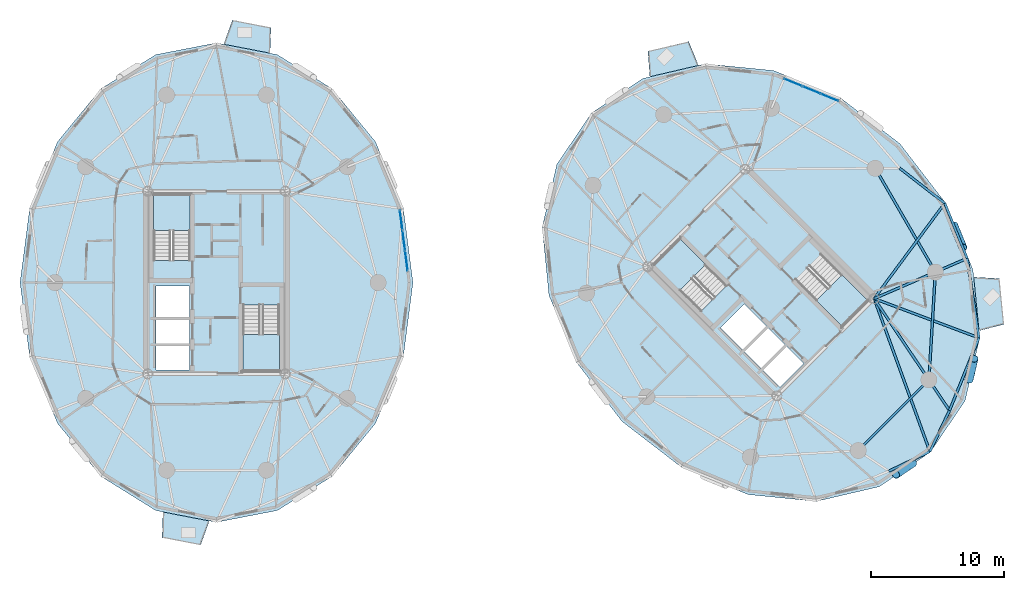
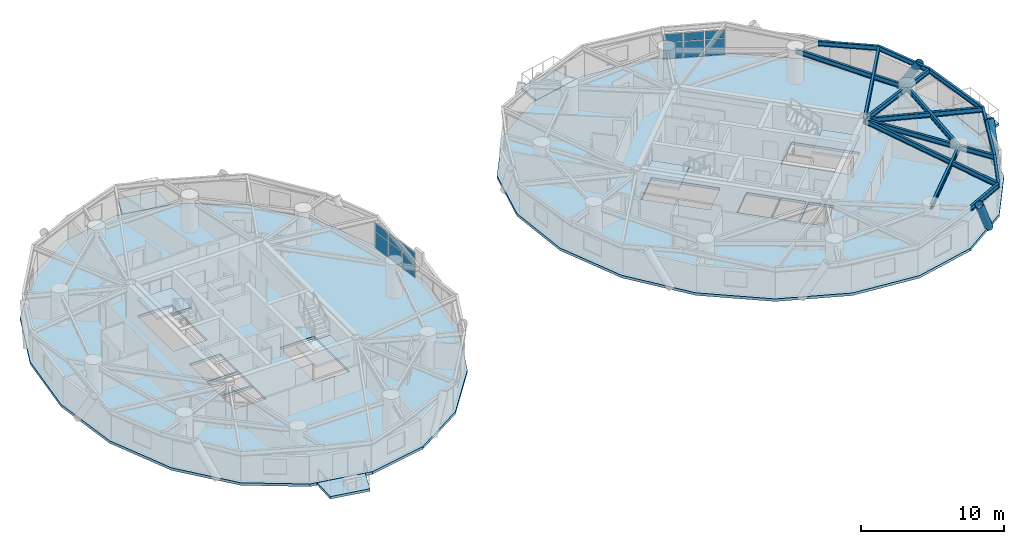
# One storey, part 7 of 17: 14 beams, 12 plates, 10 slabs, 3 members, 6 elements without a shape of their own.
"""IFC4 building model written with IfcOpenShell, lengths in metres."""

from ifc_helpers import new_model, si_unit, direction, frame, origin, origin_2d, place, context, subcontext, project, spatial, polyline, rectangle, hollow_circle, i_section, outline, extrude, source, transform, mapped, material, layer, layer_set, material_profile, profile_set, type_object, element, aggregate, save


model = new_model("IFC4")

# Units and contexts
model_context = context("Model", 3, precision=1e-05, world=origin(), true_north=direction((0.0, 1.0)))
body_context = subcontext(model_context, "Body", "Model", "MODEL_VIEW")
ifc_project = project(units=[si_unit("LENGTHUNIT", "METRE"), si_unit("AREAUNIT", "SQUARE_METRE"), si_unit("VOLUMEUNIT", "CUBIC_METRE"), si_unit("PLANEANGLEUNIT", "RADIAN"), si_unit("MASSUNIT", "GRAM", prefix="KILO")], contexts=[model_context])

# Site, building, storey
site_placement = place(None, origin())
site = spatial("IfcSite", under=ifc_project, at=site_placement, CompositionType="ELEMENT")
building_placement = place(site_placement, origin())
building = spatial("IfcBuilding", under=site, at=building_placement, Name="Cununo Teusaquillo Station Towers", CompositionType="ELEMENT")
storey_placement = place(building_placement, frame((0.0, 0.0, 154.510009765625)))
storey = spatial("IfcBuildingStorey", under=building, at=storey_placement, Name="L48", CompositionType="ELEMENT", Elevation=154.510009765625)

# Beams
ifc_material_1 = material(Name="Steel ASTM A572 Grade 50", Category="steel")
ifc_material_profile_1 = material_profile(ifc_material_1, i_section(OverallWidth=0.180908203125, OverallDepth=0.4169921875, WebThickness=0.010986328125, FlangeThickness=0.018310546875, FilletRadius=0.012939453125, at=origin_2d()), Name="W16X57")
ifc_profile_set_1 = profile_set([ifc_material_profile_1], Name="Steel ASTM A572 Grade 50")
beam_type_1 = type_object("IfcBeamType", Name="BM-JOIST-1", PredefinedType="JOIST", material=ifc_profile_set_1)
beam_1_placement = place(storey_placement, frame((66.024169921875, 23.29443359375, 2.4814453125), z_axis=(0.34241791496, -0.939547748395, 0.0), x_axis=(0.939547748395, 0.34241791496, 0.0)))
element("IfcBeam", 1, at=beam_1_placement, inside=storey, type_object=beam_type_1, Name="L48 Tower B Radial Spandrel Joist V15", PredefinedType="JOIST", context=body_context, shape_type="SweptSolid", body=[
    extrude(i_section(OverallWidth=0.180908203125, OverallDepth=0.4169921875, WebThickness=0.010986328125, FlangeThickness=0.018310546875, FilletRadius=0.012939453125, at=origin_2d()), origin(), (0.0, 0.0, 1.0), 12.25634765625),
])
beam_2_placement = place(storey_placement, frame((66.024169921875, 23.29443359375, 2.4814453125), z_axis=(0.936244635323, -0.351348805076, 0.0), x_axis=(0.351348805076, 0.936244635323, 0.0)))
element("IfcBeam", 2, at=beam_2_placement, inside=storey, type_object=beam_type_1, Name="L48 Tower B Radial Spandrel Joist V17", PredefinedType="JOIST", context=body_context, shape_type="SweptSolid", body=[
    extrude(i_section(OverallWidth=0.180908203125, OverallDepth=0.4169921875, WebThickness=0.010986328125, FlangeThickness=0.018310546875, FilletRadius=0.012939453125, at=origin_2d()), origin(), (0.0, 0.0, 1.0), 8.4287109375),
])
beam_3_placement = place(storey_placement, frame((66.024169921875, 23.29443359375, 2.4814453125), z_axis=(0.594834179272, 0.803848430471, 0.0), x_axis=(-0.803848430471, 0.594834179272, 0.0)))
element("IfcBeam", 3, at=beam_3_placement, inside=storey, type_object=beam_type_1, Name="L48 Tower B Radial Spandrel Joist V19", PredefinedType="JOIST", context=body_context, shape_type="SweptSolid", body=[
    extrude(i_section(OverallWidth=0.180908203125, OverallDepth=0.4169921875, WebThickness=0.010986328125, FlangeThickness=0.018310546875, FilletRadius=0.012939453125, at=origin_2d()), origin(), (0.0, 0.0, 1.0), 8.936767578125),
])
ifc_material_2 = material(Name="Steel ASTM A572 Grade 50", Category="steel")
ifc_material_profile_2 = material_profile(ifc_material_2, i_section(OverallWidth=0.180908203125, OverallDepth=0.4169921875, WebThickness=0.010986328125, FlangeThickness=0.018310546875, FilletRadius=0.012939453125, at=origin_2d()), Name="W16X57")
ifc_profile_set_2 = profile_set([ifc_material_profile_2], Name="Steel ASTM A572 Grade 50")
beam_type_2 = type_object("IfcBeamType", Name="BM-RAD-G2", PredefinedType="BEAM", material=ifc_profile_set_2)
beam_4_placement = place(storey_placement, frame((66.024169921875, 23.29443359375, 2.4814453125), z_axis=(0.558570687133, -0.829456923219, 0.0), x_axis=(0.829456923219, 0.558570687133, 0.0)))
element("IfcBeam", 4, at=beam_4_placement, inside=storey, type_object=beam_type_2, Name="L48 Tower B Continuous Overhanging Radial Girder 09", PredefinedType="BEAM", context=body_context, shape_type="SweptSolid", body=[
    extrude(i_section(OverallWidth=0.180908203125, OverallDepth=0.4169921875, WebThickness=0.010986328125, FlangeThickness=0.018310546875, FilletRadius=0.012939453125, at=origin_2d()), origin(), (0.0, 0.0, 1.0), 10.1591796875),
])
beam_5_placement = place(storey_placement, frame((66.024169921875, 23.29443359375, 2.4814453125), z_axis=(0.917655964072, 0.397375806515, 0.0), x_axis=(-0.397375806515, 0.917655964072, 0.0)))
element("IfcBeam", 5, at=beam_5_placement, inside=storey, type_object=beam_type_2, Name="L48 Tower B Continuous Overhanging Radial Girder 10", PredefinedType="BEAM", context=body_context, shape_type="SweptSolid", body=[
    extrude(i_section(OverallWidth=0.180908203125, OverallDepth=0.4169921875, WebThickness=0.010986328125, FlangeThickness=0.018310546875, FilletRadius=0.012939453125, at=origin_2d()), origin(), (0.0, 0.0, 1.0), 7.6318359375),
])
ifc_material_3 = material(Name="Steel ASTM A572 Grade 50", Category="steel")
ifc_material_profile_3 = material_profile(ifc_material_3, i_section(OverallWidth=0.180908203125, OverallDepth=0.4169921875, WebThickness=0.010986328125, FlangeThickness=0.018310546875, FilletRadius=0.012939453125, at=origin_2d()), Name="W16X57")
ifc_profile_set_3 = profile_set([ifc_material_profile_3], Name="Steel ASTM A572 Grade 50")
beam_type_3 = type_object("IfcBeamType", Name="BM-RING-Z3", PredefinedType="SPANDREL", material=ifc_profile_set_3)
beam_6_placement = place(storey_placement, frame((64.826904296875, 11.853759765625, 2.4814453125), z_axis=(0.707106781187, 0.707106781187, 0.0), x_axis=(-0.707106781187, 0.707106781187, 0.0)))
element("IfcBeam", 6, at=beam_6_placement, inside=storey, type_object=beam_type_3, Name="L48 Tower B Structural Column Ring Girder 08", PredefinedType="SPANDREL", context=body_context, shape_type="SweptSolid", body=[
    extrude(i_section(OverallWidth=0.180908203125, OverallDepth=0.4169921875, WebThickness=0.010986328125, FlangeThickness=0.018310546875, FilletRadius=0.012939453125, at=origin_2d()), origin(), (0.0, 0.0, 1.0), 7.522705078125),
])
beam_7_placement = place(storey_placement, frame((70.146240234375, 17.173095703125, 2.4814453125), z_axis=(0.06012979176, 0.998190567048, 0.0), x_axis=(-0.998190567048, 0.06012979176, 0.0)))
element("IfcBeam", 7, at=beam_7_placement, inside=storey, type_object=beam_type_3, Name="L48 Tower B Structural Column Ring Girder 09", PredefinedType="SPANDREL", context=body_context, shape_type="SweptSolid", body=[
    extrude(i_section(OverallWidth=0.180908203125, OverallDepth=0.4169921875, WebThickness=0.010986328125, FlangeThickness=0.018310546875, FilletRadius=0.012939453125, at=origin_2d()), origin(), (0.0, 0.0, 1.0), 8.132568359375),
])
beam_8_placement = place(storey_placement, frame((70.63525390625, 25.291015625, 2.4814453125), z_axis=(-0.501311121078, 0.865267103202, 0.0), x_axis=(-0.865267103202, -0.501311121078, 0.0)))
element("IfcBeam", 8, at=beam_8_placement, inside=storey, type_object=beam_type_3, Name="L48 Tower B Structural Column Ring Girder 10", PredefinedType="SPANDREL", context=body_context, shape_type="SweptSolid", body=[
    extrude(i_section(OverallWidth=0.180908203125, OverallDepth=0.4169921875, WebThickness=0.010986328125, FlangeThickness=0.018310546875, FilletRadius=0.012939453125, at=origin_2d()), origin(), (0.0, 0.0, 1.0), 9.032958984375),
])
for number, where, z_axis, x_axis, name in (
    (9, (67.132080078125, 10.30126953125, 2.4814453125), (0.902077503555, 0.431574069634, 0.0), (-0.431574069634, 0.902077503555, 0.0), "L48 Tower B Spandrel Ring Beam 15"),
    (10, (70.220947265625, 11.779052734375, 2.4814453125), (0.431574069634, 0.902077503555, 0.0), (-0.902077503555, 0.431574069634, 0.0), "L48 Tower B Spandrel Ring Beam 16"),
):
    element("IfcBeam", number, at=place(storey_placement, frame(where, z_axis=z_axis, x_axis=x_axis)), inside=storey, type_object=beam_type_3, Name=name, PredefinedType="SPANDREL", context=body_context, shape_type="SweptSolid", body=[
        extrude(i_section(OverallWidth=0.180908203125, OverallDepth=0.4169921875, WebThickness=0.010986328125, FlangeThickness=0.018310546875, FilletRadius=0.012939453125, at=origin_2d()), origin(), (0.0, 0.0, 1.0), 3.424072265625),
    ])
beam_9_placement = place(storey_placement, frame((71.69873046875, 14.867919921875, 2.4814453125), z_axis=(0.375882869104, 0.926667183359, 0.0), x_axis=(-0.926667183359, 0.375882869104, 0.0)))
element("IfcBeam", 11, at=beam_9_placement, inside=storey, type_object=beam_type_3, Name="L48 Tower B Spandrel Ring Beam 17", PredefinedType="SPANDREL", context=body_context, shape_type="SweptSolid", body=[
    extrude(i_section(OverallWidth=0.180908203125, OverallDepth=0.4169921875, WebThickness=0.010986328125, FlangeThickness=0.018310546875, FilletRadius=0.012939453125, at=origin_2d()), origin(), (0.0, 0.0, 1.0), 5.8974609375),
])
beam_10_placement = place(storey_placement, frame((73.91552734375, 20.3330078125, 2.4814453125), z_axis=(-0.146535519435, 0.989205409176, 0.0), x_axis=(-0.989205409176, -0.146535519435, 0.0)))
element("IfcBeam", 12, at=beam_10_placement, inside=storey, type_object=beam_type_3, Name="L48 Tower B Spandrel Ring Beam 18", PredefinedType="SPANDREL", context=body_context, shape_type="SweptSolid", body=[
    extrude(i_section(OverallWidth=0.180908203125, OverallDepth=0.4169921875, WebThickness=0.010986328125, FlangeThickness=0.018310546875, FilletRadius=0.012939453125, at=origin_2d()), origin(), (0.0, 0.0, 1.0), 6.0595703125),
])
beam_11_placement = place(storey_placement, frame((73.027587890625, 26.3271484375, 2.4814453125), z_axis=(-0.376588942192, 0.926380466449, 0.0), x_axis=(-0.926380466449, -0.376588942192, 0.0)))
element("IfcBeam", 13, at=beam_11_placement, inside=storey, type_object=beam_type_3, Name="L48 Tower B Spandrel Ring Beam 19", PredefinedType="SPANDREL", context=body_context, shape_type="SweptSolid", body=[
    extrude(i_section(OverallWidth=0.180908203125, OverallDepth=0.4169921875, WebThickness=0.010986328125, FlangeThickness=0.018310546875, FilletRadius=0.012939453125, at=origin_2d()), origin(), (0.0, 0.0, 1.0), 4.48095703125),
])
beam_12_placement = place(storey_placement, frame((71.340087890625, 30.478271484375, 2.4814453125), z_axis=(-0.789900716386, 0.613234749711, 0.0), x_axis=(-0.613234749711, -0.789900716386, 0.0)))
element("IfcBeam", 14, at=beam_12_placement, inside=storey, type_object=beam_type_3, Name="L48 Tower B Spandrel Ring Beam 20", PredefinedType="SPANDREL", context=body_context, shape_type="SweptSolid", body=[
    extrude(i_section(OverallWidth=0.180908203125, OverallDepth=0.4169921875, WebThickness=0.010986328125, FlangeThickness=0.018310546875, FilletRadius=0.012939453125, at=origin_2d()), origin(), (0.0, 0.0, 1.0), 4.3115234375),
])

# Members
ifc_material_4 = material(Name="Steel EN 10025-2 S355J2", Category="steel")
ifc_material_profile_4 = material_profile(ifc_material_4, hollow_circle(Radius=0.304931640625, WallThickness=0.02001953125, at=origin_2d()), Name="CHS 610x20")
ifc_profile_set_4 = profile_set([ifc_material_profile_4], Name="Steel EN 10025-2 S355J2")
member_type = type_object("IfcMemberType", Name="MBR-DIAG-Z3", PredefinedType="BRACE", material=ifc_profile_set_4)
member_1_placement = place(storey_placement, frame((68.940185546875, 10.913330078125, -0.139892578125), z_axis=(-0.388754467899, -0.262726004035, 0.883088336743), x_axis=(0.559936520368, -0.828535511103, 0.0)))
element("IfcMember", 15, at=member_1_placement, inside=storey, type_object=member_type, Name="L48 Tower B Folded-Zigzag Diagrid Tube C14", PredefinedType="BRACE", context=body_context, shape_type="SweptSolid", body=[
    extrude(hollow_circle(Radius=0.304931640625, WallThickness=0.02001953125, at=origin_2d()), origin(), (0.0, 0.0, 1.0), 3.295166015625),
])
member_2_placement = place(storey_placement, frame((73.183837890625, 17.19189453125, -0.139892578125), z_axis=(0.110002817, 0.472080134599, 0.874665494214), x_axis=(-0.973909284725, 0.226937667931, 0.0)))
element("IfcMember", 16, at=member_2_placement, inside=storey, type_object=member_type, Name="L48 Tower B Folded-Zigzag Diagrid Tube C16", PredefinedType="BRACE", context=body_context, shape_type="SweptSolid", body=[
    extrude(hollow_circle(Radius=0.304931640625, WallThickness=0.02001953125, at=origin_2d()), origin(), (0.0, 0.0, 1.0), 3.326904296875),
])
member_3_placement = place(storey_placement, frame((72.029052734375, 28.802978515625, -0.139892578125), z_axis=(0.200933037955, -0.48876373855, 0.848961672949), x_axis=(0.924892888936, 0.380227752796, 0.0)))
element("IfcMember", 17, at=member_3_placement, inside=storey, type_object=member_type, Name="L48 Tower B Folded-Zigzag Diagrid Tube C18", PredefinedType="BRACE", context=body_context, shape_type="SweptSolid", body=[
    extrude(hollow_circle(Radius=0.304931640625, WallThickness=0.02001953125, at=origin_2d()), origin(), (0.0, 0.0, 1.0), 3.427734375),
])

# Slabs
ifc_material_5 = material(Name="Concrete C50/60", Category="concrete")
ifc_layer_1 = layer(ifc_material_5, 0.2099609375)
ifc_layer_set_1 = layer_set([ifc_layer_1], Name="Concrete C50/60")
slab_type_1 = type_object("IfcSlabType", Name="SLB-BAL-210", PredefinedType="FLOOR", material=ifc_layer_set_1)
slab_1_placement = place(storey_placement, frame((0.0, 0.0, -0.2099609375)))
element("IfcSlab", 18, at=slab_1_placement, inside=storey, type_object=slab_type_1, Name="L48 Tower A Sky Garden Terrace Slab 1", PredefinedType="FLOOR", context=body_context, shape_type="SweptSolid", body=[
    extrude(outline(polyline([(20.53271484375, 41.77587890625), (17.041015625, 42.45068359375), (17.69873046875, 44.27392578125), (20.6015625, 43.712890625), (20.53271484375, 41.77587890625)])), origin(), (0.0, 0.0, 1.0), 0.2099609375),
])
slab_2_placement = place(storey_placement, frame((0.0, 0.0, -0.2099609375)))
element("IfcSlab", 19, at=slab_2_placement, inside=storey, type_object=slab_type_1, Name="L48 Tower A Tree Balcony Slab 2", PredefinedType="FLOOR", context=body_context, shape_type="SweptSolid", body=[
    extrude(outline(polyline([(12.46728515625, 7.22412109375), (15.958984375, 6.54931640625), (15.30126953125, 4.72607421875), (12.3984375, 5.287109375), (12.46728515625, 7.22412109375)])), origin(), (0.0, 0.0, 1.0), 0.2099609375),
])
slab_3_placement = place(storey_placement, frame((0.0, 0.0, -0.2099609375)))
element("IfcSlab", 20, at=slab_3_placement, inside=storey, type_object=slab_type_1, Name="L48 Tower B Sky Garden Terrace Slab 1", PredefinedType="FLOOR", context=body_context, shape_type="SweptSolid", body=[
    extrude(outline(polyline([(52.78662109375, 40.854736328125), (49.128662109375, 40.001220703125), (48.985595703125, 41.934326171875), (52.059326171875, 42.651611328125), (52.78662109375, 40.854736328125)])), origin(), (0.0, 0.0, 1.0), 0.2099609375),
])
slab_4_placement = place(storey_placement, frame((0.0, 0.0, -0.2099609375)))
element("IfcSlab", 21, at=slab_4_placement, inside=storey, type_object=slab_type_1, Name="L48 Tower B Tree Balcony Slab 2", PredefinedType="FLOOR", context=body_context, shape_type="SweptSolid", body=[
    extrude(outline(polyline([(73.92578125, 20.871337890625), (73.52490234375, 24.914794921875), (75.460205078125, 24.80517578125), (75.8017578125, 21.358642578125), (73.92578125, 20.871337890625)])), origin(), (0.0, 0.0, 1.0), 0.2099609375),
])

# Stair, slab
ifc_material_6 = material(Name="Concrete C50/60", Category="concrete")
stair_type = type_object("IfcStairType", Name="ST-TWR-1300", PredefinedType="HALF_TURN_STAIR", material=ifc_material_6)
stair_1_placement = place(storey_placement, origin())
stair_1 = element("IfcStair", 22, at=stair_1_placement, inside=storey, type_object=stair_type, Name="L48 Tower A Protected Core Exit Stair 1", PredefinedType="HALF_TURN_STAIR")
ifc_material_7 = material(Name="Concrete C50/60", Category="concrete")
ifc_layer_2 = layer(ifc_material_7, 0.199951171875)
ifc_layer_set_2 = layer_set([ifc_layer_2], Name="Concrete C50/60")
slab_type_2 = type_object("IfcSlabType", Name="SLB-STAIR-LND", PredefinedType="LANDING", material=ifc_layer_set_2)
slab_5_placement = place(storey_placement, frame((0.0, 0.0, 1.2548828125)))
slab_5 = element("IfcSlab", 23, at=slab_5_placement, type_object=slab_type_2, Name="ST-T1-1 landing 1", PredefinedType="LANDING", context=body_context, shape_type="SweptSolid", body=[
    extrude(outline(polyline([(14.52001953125, 28.409912109375), (14.52001953125, 31.159912109375), (11.760009765625, 31.159912109375), (11.760009765625, 28.409912109375), (14.52001953125, 28.409912109375)])), origin(), (0.0, 0.0, 1.0), 0.2001953125),
])
aggregate(stair_1, [slab_5])

stair_2_placement = place(storey_placement, origin())
stair_2 = element("IfcStair", 24, at=stair_2_placement, inside=storey, type_object=stair_type, Name="L48 Tower A Protected Core Exit Stair 2", PredefinedType="HALF_TURN_STAIR")
slab_6_placement = place(storey_placement, frame((0.0, 0.0, 1.2548828125)))
slab_6 = element("IfcSlab", 25, at=slab_6_placement, type_object=slab_type_2, Name="ST-T1-2 landing 1", PredefinedType="LANDING", context=body_context, shape_type="SweptSolid", body=[
    extrude(outline(polyline([(18.47998046875, 20.590087890625), (18.47998046875, 17.840087890625), (21.239990234375, 17.840087890625), (21.239990234375, 20.590087890625), (18.47998046875, 20.590087890625)])), origin(), (0.0, 0.0, 1.0), 0.2001953125),
])
aggregate(stair_2, [slab_6])

stair_3_placement = place(storey_placement, origin())
stair_3 = element("IfcStair", 26, at=stair_3_placement, inside=storey, type_object=stair_type, Name="L48 Tower B Protected Core Exit Stair 1", PredefinedType="HALF_TURN_STAIR")
slab_7_placement = place(storey_placement, frame((0.0, 0.0, 1.2548828125)))
slab_7 = element("IfcSlab", 27, at=slab_7_placement, type_object=slab_type_2, Name="ST-T2-1 landing 1", PredefinedType="LANDING", context=body_context, shape_type="SweptSolid", body=[
    extrude(outline(polyline([(53.335205078125, 25.86474609375), (51.390625, 27.809326171875), (49.43896484375, 25.857666015625), (51.383544921875, 23.9130859375), (53.335205078125, 25.86474609375)])), origin(), (0.0, 0.0, 1.0), 0.2001953125),
])
aggregate(stair_3, [slab_7])

stair_4_placement = place(storey_placement, origin())
stair_4 = element("IfcStair", 28, at=stair_4_placement, inside=storey, type_object=stair_type, Name="L48 Tower B Protected Core Exit Stair 2", PredefinedType="HALF_TURN_STAIR")
slab_8_placement = place(storey_placement, frame((0.0, 0.0, 1.2548828125)))
slab_8 = element("IfcSlab", 29, at=slab_8_placement, type_object=slab_type_2, Name="ST-T2-2 landing 1", PredefinedType="LANDING", context=body_context, shape_type="SweptSolid", body=[
    extrude(outline(polyline([(61.664794921875, 23.13525390625), (63.609375, 21.190673828125), (65.56103515625, 23.142333984375), (63.616455078125, 25.0869140625), (61.664794921875, 23.13525390625)])), origin(), (0.0, 0.0, 1.0), 0.2001953125),
])
aggregate(stair_4, [slab_8])

# Slabs
ifc_material_8 = material(Name="Concrete C40/50", Category="concrete")
ifc_layer_3 = layer(ifc_material_8, 0.219970703125)
ifc_layer_set_3 = layer_set([ifc_layer_3], Name="Concrete C40/50")
slab_type_3 = type_object("IfcSlabType", Name="SLB-Z3-220", PredefinedType="FLOOR", material=ifc_layer_set_3)
slab_9_placement = place(storey_placement, frame((0.0, 0.0, -0.219970703125)))
element("IfcSlab", 30, at=slab_9_placement, inside=storey, type_object=slab_type_3, Name="L48 Tower A Floor Slab", PredefinedType="FLOOR", context=body_context, shape_type="SweptSolid", body=[
    extrude(outline(polyline([(31.294921875, 24.5), (30.57080078125, 30.077880859375), (28.469482421875, 35.109619140625), (25.1962890625, 39.102783203125), (21.072021484375, 41.66650390625), (16.5, 42.550048828125), (11.927978515625, 41.66650390625), (7.8037109375, 39.102783203125), (4.530517578125, 35.109619140625), (2.42919921875, 30.077880859375), (1.705078125, 24.5), (2.42919921875, 18.922119140625), (4.530517578125, 13.890380859375), (7.8037109375, 9.897216796875), (11.927978515625, 7.33349609375), (16.5, 6.449951171875), (21.072021484375, 7.33349609375), (25.1962890625, 9.897216796875), (28.469482421875, 13.890380859375), (30.57080078125, 18.922119140625), (31.294921875, 24.5)]), holes=[polyline([(14.52001953125, 26.176025390625), (14.52001953125, 31.159912109375), (11.760009765625, 31.159912109375), (11.760009765625, 26.176025390625), (14.52001953125, 26.176025390625)]), polyline([(18.47998046875, 22.823974609375), (18.47998046875, 17.840087890625), (21.239990234375, 17.840087890625), (21.239990234375, 22.823974609375), (18.47998046875, 22.823974609375)]), polyline([(11.949951171875, 21.85009765625), (14.47998046875, 21.85009765625), (14.47998046875, 24.25), (11.949951171875, 24.25), (11.949951171875, 21.85009765625)]), polyline([(11.949951171875, 17.89990234375), (14.47998046875, 17.89990234375), (14.47998046875, 19.75), (11.949951171875, 19.75), (11.949951171875, 17.89990234375)]), polyline([(11.949951171875, 19.89990234375), (14.47998046875, 19.89990234375), (14.47998046875, 21.75), (11.949951171875, 21.75), (11.949951171875, 19.89990234375)])]), origin(), (0.0, 0.0, 1.0), 0.219970703125),
])
slab_10_placement = place(storey_placement, frame((0.0, 0.0, -0.219970703125)))
element("IfcSlab", 31, at=slab_10_placement, inside=storey, type_object=slab_type_3, Name="L48 Tower B Floor Slab", PredefinedType="FLOOR", context=body_context, shape_type="SweptSolid", body=[
    extrude(outline(polyline([(67.961669921875, 34.961669921875), (63.505615234375, 38.393798828125), (58.461669921875, 40.4658203125), (53.323486328125, 40.97509765625), (48.59423828125, 39.871337890625), (44.73681640625, 37.26318359375), (42.128662109375, 33.40576171875), (41.02490234375, 28.676513671875), (41.5341796875, 23.538330078125), (43.606201171875, 18.494384765625), (47.038330078125, 14.038330078125), (51.494384765625, 10.606201171875), (56.538330078125, 8.5341796875), (61.676513671875, 8.02490234375), (66.40576171875, 9.128662109375), (70.26318359375, 11.73681640625), (72.871337890625, 15.59423828125), (73.97509765625, 20.323486328125), (73.4658203125, 25.461669921875), (71.393798828125, 30.505615234375), (67.961669921875, 34.961669921875)]), holes=[polyline([(54.914794921875, 24.28515625), (51.390625, 27.809326171875), (49.43896484375, 25.857666015625), (52.963134765625, 22.33349609375), (54.914794921875, 24.28515625)]), polyline([(60.085205078125, 24.71484375), (63.609375, 21.190673828125), (65.56103515625, 23.142333984375), (62.036865234375, 26.66650390625), (60.085205078125, 24.71484375)]), polyline([(56.156494140625, 19.40869140625), (57.945556640625, 21.19775390625), (56.248291015625, 22.89501953125), (54.45947265625, 21.10595703125), (56.156494140625, 19.40869140625)]), polyline([(58.94970703125, 16.61572265625), (60.738525390625, 18.40478515625), (59.430419921875, 19.712890625), (57.641357421875, 17.923828125), (58.94970703125, 16.61572265625)]), polyline([(57.535400390625, 18.030029296875), (59.32421875, 19.819091796875), (58.01611328125, 21.127197265625), (56.227294921875, 19.338134765625), (57.535400390625, 18.030029296875)])]), origin(), (0.0, 0.0, 1.0), 0.219970703125),
])

# Curtain wall, plates
ifc_material_9 = material(Name="Operable acoustic tinted low-E double glazing", Category="glass")
ifc_layer_4 = layer(ifc_material_9, 0.179931640625)
ifc_layer_set_4 = layer_set([ifc_layer_4], Name="Operable acoustic tinted low-E double glazing")
curtain_wall_type = type_object("IfcCurtainWallType", Name="CW-SYS-06", PredefinedType="USERDEFINED", material=ifc_layer_set_4)
curtain_wall_1_placement = place(storey_placement, origin())
curtain_wall_1 = element("IfcCurtainWall", 32, at=curtain_wall_1_placement, inside=storey, type_object=curtain_wall_type, Name="L48 Tower A Facade Curtain Wall C00", ObjectType="OPERABLE GLAZING", PredefinedType="USERDEFINED")
ifc_material_10 = material(Name="Operable acoustic tinted low-E double glazing", Category="glass")
ifc_layer_5 = layer(ifc_material_10, 0.031982421875)
ifc_layer_set_5 = layer_set([ifc_layer_5], Name="Operable acoustic tinted low-E double glazing")
plate_type = type_object("IfcPlateType", Name="CWP-OPER-32", PredefinedType="CURTAIN_PANEL", material=ifc_layer_set_5)
shared_shape_1 = source(origin(), body_context, "Body", "SweptSolid", [
    extrude(rectangle(XDim=1.46484375, YDim=0.031982421875, at=origin_2d()), origin(), (0.0, 0.0, 1.0), 1.361572265625),
])
plate_1_placement = place(storey_placement, frame((30.406982421875, 29.200439453125, 0.06494140625), z_axis=(0.0, 0.0, 1.0), x_axis=(0.128292898403, -0.991736321922, 0.0)))
plate_1 = element("IfcPlate", 33, at=plate_1_placement, type_object=plate_type, Name="CW-06 panel 1.1", PredefinedType="CURTAIN_PANEL", context=body_context, shape_type="MappedRepresentation", body=[
    mapped(shared_shape_1, transform((0.0, 0.0, 0.0), x_axis=(1.0, 0.0, 0.0), y_axis=(0.0, 1.0, 0.0), z_axis=(0.0, 0.0, 1.0), scale=1.0)),
])
plate_2_placement = place(storey_placement, frame((30.8037109375, 26.1337890625, 0.06494140625), z_axis=(0.0, 0.0, 1.0), x_axis=(0.128292898403, -0.991736321922, 0.0)))
plate_2 = element("IfcPlate", 34, at=plate_2_placement, type_object=plate_type, Name="CW-06 panel 3.1", PredefinedType="CURTAIN_PANEL", context=body_context, shape_type="MappedRepresentation", body=[
    mapped(shared_shape_1, transform((0.0, 0.0, 0.0), x_axis=(1.0, 0.0, 0.0), y_axis=(0.0, 1.0, 0.0), z_axis=(0.0, 0.0, 1.0), scale=1.0)),
])
shared_shape_2 = source(origin(), body_context, "Body", "SweptSolid", [
    extrude(rectangle(XDim=1.46484375, YDim=0.031982421875, at=origin_2d()), origin(), (0.0, 0.0, 1.0), 0.6884765625),
])
plate_3_placement = place(storey_placement, frame((30.406982421875, 29.200439453125, 1.491455078125), z_axis=(0.0, 0.0, 1.0), x_axis=(0.128292898403, -0.991736321922, 0.0)))
plate_3 = element("IfcPlate", 35, at=plate_3_placement, type_object=plate_type, Name="CW-06 panel 1.2", PredefinedType="CURTAIN_PANEL", context=body_context, shape_type="MappedRepresentation", body=[
    mapped(shared_shape_2, transform((0.0, 0.0, 0.0), x_axis=(1.0, 0.0, 0.0), y_axis=(0.0, 1.0, 0.0), z_axis=(0.0, 0.0, 1.0), scale=1.0)),
])
plate_4_placement = place(storey_placement, frame((30.8037109375, 26.1337890625, 1.491455078125), z_axis=(0.0, 0.0, 1.0), x_axis=(0.128292898403, -0.991736321922, 0.0)))
plate_4 = element("IfcPlate", 36, at=plate_4_placement, type_object=plate_type, Name="CW-06 panel 3.2", PredefinedType="CURTAIN_PANEL", context=body_context, shape_type="MappedRepresentation", body=[
    mapped(shared_shape_2, transform((0.0, 0.0, 0.0), x_axis=(1.0, 0.0, 0.0), y_axis=(0.0, 1.0, 0.0), z_axis=(0.0, 0.0, 1.0), scale=1.0)),
])
shared_shape_3 = source(origin(), body_context, "Body", "SweptSolid", [
    extrude(rectangle(XDim=1.497314453125, YDim=0.031982421875, at=origin_2d()), origin(), (0.0, 0.0, 1.0), 1.361572265625),
])
plate_5_placement = place(storey_placement, frame((30.605224609375, 27.6669921875, 0.06494140625), z_axis=(0.0, 0.0, 1.0), x_axis=(0.128292898403, -0.991736321922, 0.0)))
plate_5 = element("IfcPlate", 37, at=plate_5_placement, type_object=plate_type, Name="CW-06 panel 2.1", PredefinedType="CURTAIN_PANEL", context=body_context, shape_type="MappedRepresentation", body=[
    mapped(shared_shape_3, transform((0.0, 0.0, 0.0), x_axis=(1.0, 0.0, 0.0), y_axis=(0.0, 1.0, 0.0), z_axis=(0.0, 0.0, 1.0), scale=1.0)),
])
shared_shape_4 = source(origin(), body_context, "Body", "SweptSolid", [
    extrude(rectangle(XDim=1.497314453125, YDim=0.031982421875, at=origin_2d()), origin(), (0.0, 0.0, 1.0), 0.6884765625),
])
plate_6_placement = place(storey_placement, frame((30.605224609375, 27.6669921875, 1.491455078125), z_axis=(0.0, 0.0, 1.0), x_axis=(0.128292898403, -0.991736321922, 0.0)))
plate_6 = element("IfcPlate", 38, at=plate_6_placement, type_object=plate_type, Name="CW-06 panel 2.2", PredefinedType="CURTAIN_PANEL", context=body_context, shape_type="MappedRepresentation", body=[
    mapped(shared_shape_4, transform((0.0, 0.0, 0.0), x_axis=(1.0, 0.0, 0.0), y_axis=(0.0, 1.0, 0.0), z_axis=(0.0, 0.0, 1.0), scale=1.0)),
])
aggregate(curtain_wall_1, [plate_1, plate_3, plate_5, plate_6, plate_2, plate_4])

curtain_wall_2_placement = place(storey_placement, origin())
curtain_wall_2 = element("IfcCurtainWall", 39, at=curtain_wall_2_placement, inside=storey, type_object=curtain_wall_type, Name="L48 Tower B Facade Curtain Wall C01", ObjectType="OPERABLE GLAZING", PredefinedType="USERDEFINED")
shared_shape_5 = source(origin(), body_context, "Body", "SweptSolid", [
    extrude(rectangle(XDim=1.40771484375, YDim=0.031982421875, at=origin_2d()), origin(), (0.0, 0.0, 1.0), 1.361572265625),
])
plate_7_placement = place(storey_placement, frame((59.91455078125, 39.572265625, 0.06494140625), z_axis=(0.0, 0.0, 1.0), x_axis=(0.924524840588, -0.381121790423, 0.0)))
plate_7 = element("IfcPlate", 40, at=plate_7_placement, type_object=plate_type, Name="CW-06 panel 1.1", PredefinedType="CURTAIN_PANEL", context=body_context, shape_type="MappedRepresentation", body=[
    mapped(shared_shape_5, transform((0.0, 0.0, 0.0), x_axis=(1.0, 0.0, 0.0), y_axis=(0.0, 1.0, 0.0), z_axis=(0.0, 0.0, 1.0), scale=1.0)),
])
plate_8_placement = place(storey_placement, frame((62.667724609375, 38.437255859375, 0.06494140625), z_axis=(0.0, 0.0, 1.0), x_axis=(0.924524840588, -0.381121790423, 0.0)))
plate_8 = element("IfcPlate", 41, at=plate_8_placement, type_object=plate_type, Name="CW-06 panel 3.1", PredefinedType="CURTAIN_PANEL", context=body_context, shape_type="MappedRepresentation", body=[
    mapped(shared_shape_5, transform((0.0, 0.0, 0.0), x_axis=(1.0, 0.0, 0.0), y_axis=(0.0, 1.0, 0.0), z_axis=(0.0, 0.0, 1.0), scale=1.0)),
])
shared_shape_6 = source(origin(), body_context, "Body", "SweptSolid", [
    extrude(rectangle(XDim=1.40771484375, YDim=0.031982421875, at=origin_2d()), origin(), (0.0, 0.0, 1.0), 0.6884765625),
])
plate_9_placement = place(storey_placement, frame((59.91455078125, 39.572265625, 1.491455078125), z_axis=(0.0, 0.0, 1.0), x_axis=(0.924524840588, -0.381121790423, 0.0)))
plate_9 = element("IfcPlate", 42, at=plate_9_placement, type_object=plate_type, Name="CW-06 panel 1.2", PredefinedType="CURTAIN_PANEL", context=body_context, shape_type="MappedRepresentation", body=[
    mapped(shared_shape_6, transform((0.0, 0.0, 0.0), x_axis=(1.0, 0.0, 0.0), y_axis=(0.0, 1.0, 0.0), z_axis=(0.0, 0.0, 1.0), scale=1.0)),
])
plate_10_placement = place(storey_placement, frame((62.667724609375, 38.437255859375, 1.491455078125), z_axis=(0.0, 0.0, 1.0), x_axis=(0.924524840588, -0.381121790423, 0.0)))
plate_10 = element("IfcPlate", 43, at=plate_10_placement, type_object=plate_type, Name="CW-06 panel 3.2", PredefinedType="CURTAIN_PANEL", context=body_context, shape_type="MappedRepresentation", body=[
    mapped(shared_shape_6, transform((0.0, 0.0, 0.0), x_axis=(1.0, 0.0, 0.0), y_axis=(0.0, 1.0, 0.0), z_axis=(0.0, 0.0, 1.0), scale=1.0)),
])
shared_shape_7 = source(origin(), body_context, "Body", "SweptSolid", [
    extrude(rectangle(XDim=1.440185546875, YDim=0.031982421875, at=origin_2d()), origin(), (0.0, 0.0, 1.0), 1.361572265625),
])
plate_11_placement = place(storey_placement, frame((61.291015625, 39.004638671875, 0.06494140625), z_axis=(0.0, 0.0, 1.0), x_axis=(0.924524840588, -0.381121790423, 0.0)))
plate_11 = element("IfcPlate", 44, at=plate_11_placement, type_object=plate_type, Name="CW-06 panel 2.1", PredefinedType="CURTAIN_PANEL", context=body_context, shape_type="MappedRepresentation", body=[
    mapped(shared_shape_7, transform((0.0, 0.0, 0.0), x_axis=(1.0, 0.0, 0.0), y_axis=(0.0, 1.0, 0.0), z_axis=(0.0, 0.0, 1.0), scale=1.0)),
])
shared_shape_8 = source(origin(), body_context, "Body", "SweptSolid", [
    extrude(rectangle(XDim=1.440185546875, YDim=0.031982421875, at=origin_2d()), origin(), (0.0, 0.0, 1.0), 0.6884765625),
])
plate_12_placement = place(storey_placement, frame((61.291015625, 39.004638671875, 1.491455078125), z_axis=(0.0, 0.0, 1.0), x_axis=(0.924524840588, -0.381121790423, 0.0)))
plate_12 = element("IfcPlate", 45, at=plate_12_placement, type_object=plate_type, Name="CW-06 panel 2.2", PredefinedType="CURTAIN_PANEL", context=body_context, shape_type="MappedRepresentation", body=[
    mapped(shared_shape_8, transform((0.0, 0.0, 0.0), x_axis=(1.0, 0.0, 0.0), y_axis=(0.0, 1.0, 0.0), z_axis=(0.0, 0.0, 1.0), scale=1.0)),
])
aggregate(curtain_wall_2, [plate_7, plate_9, plate_11, plate_12, plate_8, plate_10])

save(model, "model.ifc")
